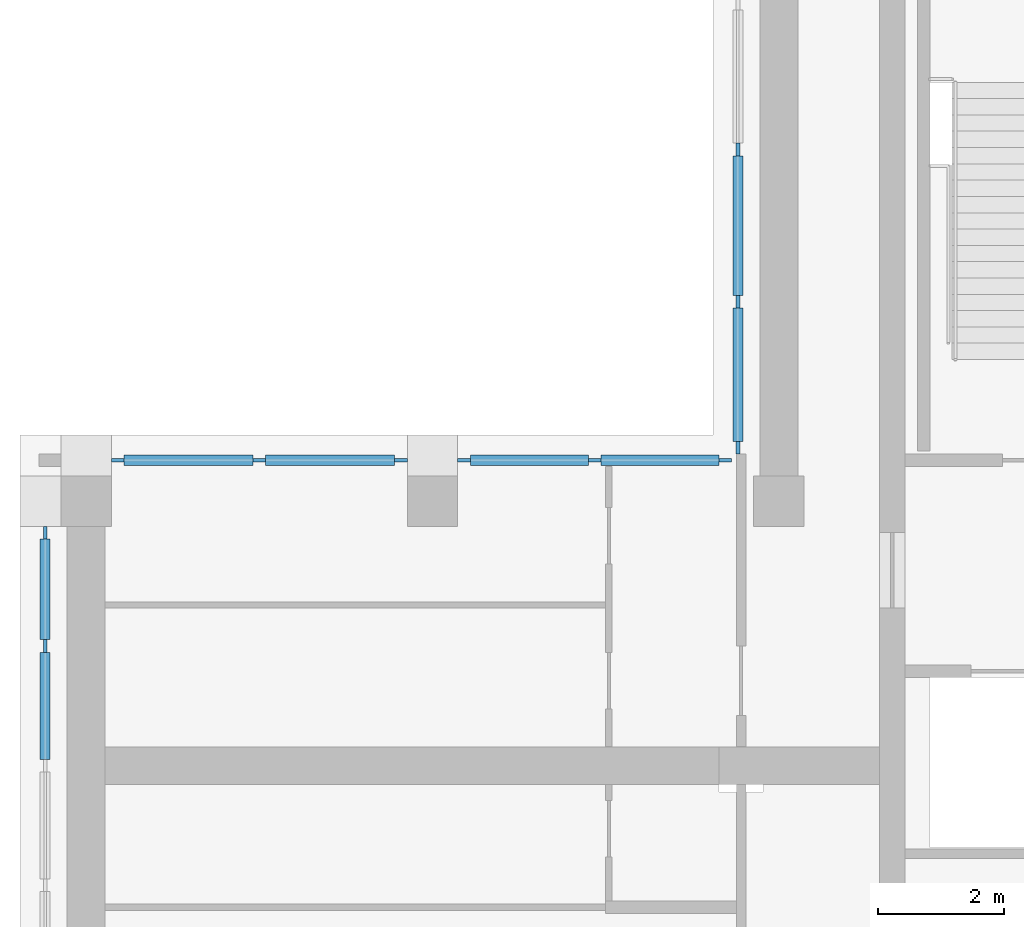
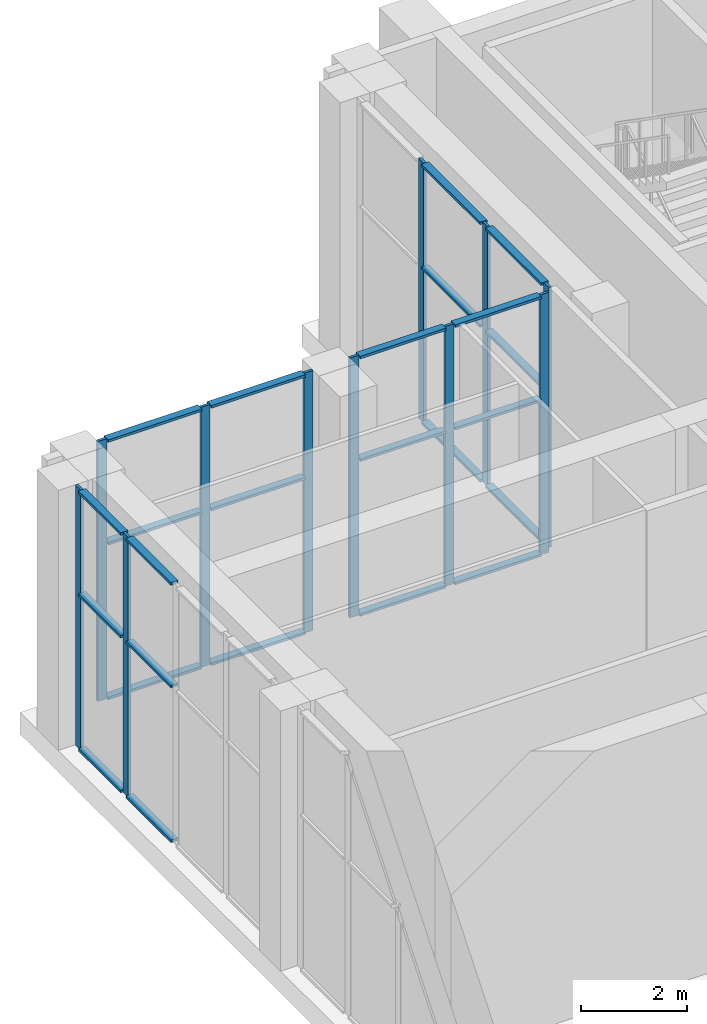
# One storey, part 4 of 14: 35 members, 4 elements without a shape of their own.
"""IFC4 building model written with IfcOpenShell, lengths in metres."""

from ifc_helpers import new_model, si_unit, direction, frame, origin, origin_2d, place, context, subcontext, project, spatial, rectangle, extrude, material, material_profile, profile_set, type_object, element, aggregate, save


model = new_model("IFC4")

# Units and contexts
model_context = context("Model", 3, precision=1e-05, world=origin(), true_north=direction((0.0, 1.0)))
body_context = subcontext(model_context, "Body", "Model", "MODEL_VIEW")
ifc_project = project(units=[si_unit("LENGTHUNIT", "METRE"), si_unit("AREAUNIT", "SQUARE_METRE"), si_unit("VOLUMEUNIT", "CUBIC_METRE"), si_unit("PLANEANGLEUNIT", "RADIAN"), si_unit("MASSUNIT", "GRAM", prefix="KILO")], contexts=[model_context])

# Site, building, storey
site_placement = place(None, origin())
site = spatial("IfcSite", under=ifc_project, at=site_placement, CompositionType="ELEMENT")
building_placement = place(site_placement, origin())
building = spatial("IfcBuilding", under=site, at=building_placement, Name="Vermilion Ogive Tower", CompositionType="ELEMENT")
storey_placement = place(building_placement, frame((0.0, 0.0, 278.35009765625)))
storey = spatial("IfcBuildingStorey", under=building, at=storey_placement, Name="L73", CompositionType="ELEMENT", Elevation=278.35009765625)

# Curtain wall, members
ifc_material_1 = material(Name="Laminated solar-control glazing in aluminium frame", Category="aluminium")
curtain_wall_type = type_object("IfcCurtainWallType", Name="Curtain wall CW4", PredefinedType="NOTDEFINED", material=ifc_material_1)
curtain_wall_1_placement = place(storey_placement, origin())
curtain_wall_1 = element("IfcCurtainWall", 1, at=curtain_wall_1_placement, inside=storey, type_object=curtain_wall_type, Name="CW4 glazing X51", PredefinedType="NOTDEFINED")
ifc_material_2 = material(Name="Aluminium mullion", Category="aluminium")
ifc_material_profile_1 = material_profile(ifc_material_2, rectangle(XDim=0.06005859375, YDim=0.199951171875, at=origin_2d()), Name="AL 60x200")
ifc_profile_set_1 = profile_set([ifc_material_profile_1], Name="Aluminium mullion")
member_type_1 = type_object("IfcMemberType", Name="CW4 mullion 60x200", PredefinedType="MULLION", material=ifc_profile_set_1)
member_1_placement = place(storey_placement, frame((-10.64990234375, 18.183349609375, 0.0), z_axis=(0.0, 0.0, 1.0), x_axis=(1.0, 0.0, 0.0)))
member_1 = element("IfcMember", 2, at=member_1_placement, type_object=member_type_1, Name="CW4-X51 mullion 2", PredefinedType="MULLION", context=body_context, shape_type="SweptSolid", body=[
    extrude(rectangle(XDim=0.06005859375, YDim=0.199951171875, at=origin_2d()), origin(), (0.0, 0.0, 1.0), 6.0),
])
member_2_placement = place(storey_placement, frame((-10.64990234375, 15.7666015625, 0.0), z_axis=(0.0, 0.0, 1.0), x_axis=(1.0, 0.0, 0.0)))
member_2 = element("IfcMember", 3, at=member_2_placement, type_object=member_type_1, Name="CW4-X51 mullion 3", PredefinedType="MULLION", context=body_context, shape_type="SweptSolid", body=[
    extrude(rectangle(XDim=0.06005859375, YDim=0.199951171875, at=origin_2d()), origin(), (0.0, 0.0, 1.0), 6.0),
])
member_3_placement = place(storey_placement, frame((-10.64990234375, 13.449951171875, 0.0), z_axis=(0.0, 0.0, 1.0), x_axis=(1.0, 0.0, 0.0)))
member_3 = element("IfcMember", 4, at=member_3_placement, type_object=member_type_1, Name="CW4-X51 mullion 4", PredefinedType="MULLION", context=body_context, shape_type="SweptSolid", body=[
    extrude(rectangle(XDim=0.06005859375, YDim=0.199951171875, at=origin_2d()), origin(), (0.0, 0.0, 1.0), 6.0),
])

curtain_wall_2_placement = place(storey_placement, origin())
curtain_wall_2 = element("IfcCurtainWall", 5, at=curtain_wall_2_placement, inside=storey, type_object=curtain_wall_type, Name="CW4 glazing X61", PredefinedType="NOTDEFINED")
member_4_placement = place(storey_placement, frame((-10.85009765625, 13.25, 0.0), z_axis=(0.0, 0.0, 1.0), x_axis=(0.0, -1.0, 0.0)))
member_4 = element("IfcMember", 6, at=member_4_placement, type_object=member_type_1, Name="CW4-X61 mullion 1", PredefinedType="MULLION", context=body_context, shape_type="SweptSolid", body=[
    extrude(rectangle(XDim=0.06005859375, YDim=0.199951171875, at=origin_2d()), origin(), (0.0, 0.0, 1.0), 6.0),
])
member_5_placement = place(storey_placement, frame((-12.925048828125, 13.25, 0.0), z_axis=(0.0, 0.0, 1.0), x_axis=(0.0, -1.0, 0.0)))
member_5 = element("IfcMember", 7, at=member_5_placement, type_object=member_type_1, Name="CW4-X61 mullion 2", PredefinedType="MULLION", context=body_context, shape_type="SweptSolid", body=[
    extrude(rectangle(XDim=0.06005859375, YDim=0.199951171875, at=origin_2d()), origin(), (0.0, 0.0, 1.0), 6.0),
])
member_6_placement = place(storey_placement, frame((-15.0, 13.25, 0.0), z_axis=(0.0, 0.0, 1.0), x_axis=(0.0, -1.0, 0.0)))
member_6 = element("IfcMember", 8, at=member_6_placement, type_object=member_type_1, Name="CW4-X61 mullion 3", PredefinedType="MULLION", context=body_context, shape_type="SweptSolid", body=[
    extrude(rectangle(XDim=0.06005859375, YDim=0.199951171875, at=origin_2d()), origin(), (0.0, 0.0, 1.0), 6.0),
])

curtain_wall_3_placement = place(storey_placement, origin())
curtain_wall_3 = element("IfcCurtainWall", 9, at=curtain_wall_3_placement, inside=storey, type_object=curtain_wall_type, Name="CW4 glazing X62", PredefinedType="NOTDEFINED")
member_7_placement = place(storey_placement, frame((-16.0, 13.25, 0.0), z_axis=(0.0, 0.0, 1.0), x_axis=(0.0, -1.0, 0.0)))
member_7 = element("IfcMember", 10, at=member_7_placement, type_object=member_type_1, Name="CW4-X62 mullion 1", PredefinedType="MULLION", context=body_context, shape_type="SweptSolid", body=[
    extrude(rectangle(XDim=0.06005859375, YDim=0.199951171875, at=origin_2d()), origin(), (0.0, 0.0, 1.0), 6.0),
])
member_8_placement = place(storey_placement, frame((-18.25, 13.25, 0.0), z_axis=(0.0, 0.0, 1.0), x_axis=(0.0, -1.0, 0.0)))
member_8 = element("IfcMember", 11, at=member_8_placement, type_object=member_type_1, Name="CW4-X62 mullion 2", PredefinedType="MULLION", context=body_context, shape_type="SweptSolid", body=[
    extrude(rectangle(XDim=0.06005859375, YDim=0.199951171875, at=origin_2d()), origin(), (0.0, 0.0, 1.0), 6.0),
])
member_9_placement = place(storey_placement, frame((-20.5, 13.25, 0.0), z_axis=(0.0, 0.0, 1.0), x_axis=(0.0, -1.0, 0.0)))
member_9 = element("IfcMember", 12, at=member_9_placement, type_object=member_type_1, Name="CW4-X62 mullion 3", PredefinedType="MULLION", context=body_context, shape_type="SweptSolid", body=[
    extrude(rectangle(XDim=0.06005859375, YDim=0.199951171875, at=origin_2d()), origin(), (0.0, 0.0, 1.0), 6.0),
])

curtain_wall_4_placement = place(storey_placement, origin())
curtain_wall_4 = element("IfcCurtainWall", 13, at=curtain_wall_4_placement, inside=storey, type_object=curtain_wall_type, Name="CW4 glazing W1", PredefinedType="NOTDEFINED")
member_10_placement = place(storey_placement, frame((-21.64990234375, 12.10009765625, 0.0), z_axis=(0.0, 0.0, 1.0), x_axis=(1.0, 0.0, 0.0)))
member_10 = element("IfcMember", 14, at=member_10_placement, type_object=member_type_1, Name="CW4-W1 mullion 1", PredefinedType="MULLION", context=body_context, shape_type="SweptSolid", body=[
    extrude(rectangle(XDim=0.06005859375, YDim=0.199951171875, at=origin_2d()), origin(), (0.0, 0.0, 1.0), 6.0),
])
member_11_placement = place(storey_placement, frame((-21.64990234375, 10.300048828125, 0.0), z_axis=(0.0, 0.0, 1.0), x_axis=(1.0, 0.0, 0.0)))
member_11 = element("IfcMember", 15, at=member_11_placement, type_object=member_type_1, Name="CW4-W1 mullion 2", PredefinedType="MULLION", context=body_context, shape_type="SweptSolid", body=[
    extrude(rectangle(XDim=0.06005859375, YDim=0.199951171875, at=origin_2d()), origin(), (0.0, 0.0, 1.0), 6.0),
])

# Member
ifc_material_3 = material(Name="Aluminium transom", Category="aluminium")
ifc_material_profile_2 = material_profile(ifc_material_3, rectangle(XDim=0.159912109375, YDim=0.06005859375, at=origin_2d()), Name="AL 60x160")
ifc_profile_set_2 = profile_set([ifc_material_profile_2], Name="Aluminium transom")
member_type_2 = type_object("IfcMemberType", Name="CW4 transom 60x160", PredefinedType="USERDEFINED", material=ifc_profile_set_2)
member_12_placement = place(storey_placement, frame((-10.64990234375, 18.083251953125, 0.02978515625), z_axis=(0.0, -1.0, 0.0), x_axis=(1.0, 0.0, 0.0)))
member_12 = element("IfcMember", 16, at=member_12_placement, type_object=member_type_2, Name="CW4-X51 transom 2.1", ObjectType="TRANSOM", PredefinedType="USERDEFINED", context=body_context, shape_type="SweptSolid", body=[
    extrude(rectangle(XDim=0.159912109375, YDim=0.06005859375, at=origin_2d()), origin(), (0.0, 0.0, 1.0), 2.216552734375),
])

member_13_placement = place(storey_placement, frame((-10.64990234375, 18.083251953125, 3.599853515625), z_axis=(0.0, -1.0, 0.0), x_axis=(1.0, 0.0, 0.0)))
member_13 = element("IfcMember", 17, at=member_13_placement, type_object=member_type_2, Name="CW4-X51 transom 2.2", ObjectType="TRANSOM", PredefinedType="USERDEFINED", context=body_context, shape_type="SweptSolid", body=[
    extrude(rectangle(XDim=0.159912109375, YDim=0.06005859375, at=origin_2d()), origin(), (0.0, 0.0, 1.0), 2.216552734375),
])

member_14_placement = place(storey_placement, frame((-10.64990234375, 18.083251953125, 5.969970703125), z_axis=(0.0, -1.0, 0.0), x_axis=(1.0, 0.0, 0.0)))
member_14 = element("IfcMember", 18, at=member_14_placement, type_object=member_type_2, Name="CW4-X51 transom 2.3", ObjectType="TRANSOM", PredefinedType="USERDEFINED", context=body_context, shape_type="SweptSolid", body=[
    extrude(rectangle(XDim=0.159912109375, YDim=0.06005859375, at=origin_2d()), origin(), (0.0, 0.0, 1.0), 2.216552734375),
])

member_15_placement = place(storey_placement, frame((-10.64990234375, 15.666748046875, 0.02978515625), z_axis=(0.0, -1.0, 0.0), x_axis=(1.0, 0.0, 0.0)))
member_15 = element("IfcMember", 19, at=member_15_placement, type_object=member_type_2, Name="CW4-X51 transom 3.1", ObjectType="TRANSOM", PredefinedType="USERDEFINED", context=body_context, shape_type="SweptSolid", body=[
    extrude(rectangle(XDim=0.159912109375, YDim=0.06005859375, at=origin_2d()), origin(), (0.0, 0.0, 1.0), 2.11669921875),
])

member_16_placement = place(storey_placement, frame((-10.64990234375, 15.666748046875, 3.599853515625), z_axis=(0.0, -1.0, 0.0), x_axis=(1.0, 0.0, 0.0)))
member_16 = element("IfcMember", 20, at=member_16_placement, type_object=member_type_2, Name="CW4-X51 transom 3.2", ObjectType="TRANSOM", PredefinedType="USERDEFINED", context=body_context, shape_type="SweptSolid", body=[
    extrude(rectangle(XDim=0.159912109375, YDim=0.06005859375, at=origin_2d()), origin(), (0.0, 0.0, 1.0), 2.11669921875),
])

member_17_placement = place(storey_placement, frame((-10.64990234375, 15.666748046875, 5.969970703125), z_axis=(0.0, -1.0, 0.0), x_axis=(1.0, 0.0, 0.0)))
member_17 = element("IfcMember", 21, at=member_17_placement, type_object=member_type_2, Name="CW4-X51 transom 3.3", ObjectType="TRANSOM", PredefinedType="USERDEFINED", context=body_context, shape_type="SweptSolid", body=[
    extrude(rectangle(XDim=0.159912109375, YDim=0.06005859375, at=origin_2d()), origin(), (0.0, 0.0, 1.0), 2.11669921875),
])

aggregate(curtain_wall_1, [member_1, member_2, member_3, member_12, member_13, member_14, member_15, member_16, member_17])

member_18_placement = place(storey_placement, frame((-10.949951171875, 13.25, 0.02978515625), z_axis=(-1.0, 0.0, 0.0), x_axis=(0.0, -1.0, 0.0)))
member_18 = element("IfcMember", 22, at=member_18_placement, type_object=member_type_2, Name="CW4-X61 transom 1.1", ObjectType="TRANSOM", PredefinedType="USERDEFINED", context=body_context, shape_type="SweptSolid", body=[
    extrude(rectangle(XDim=0.159912109375, YDim=0.06005859375, at=origin_2d()), origin(), (0.0, 0.0, 1.0), 1.875),
])

member_19_placement = place(storey_placement, frame((-10.949951171875, 13.25, 3.599853515625), z_axis=(-1.0, 0.0, 0.0), x_axis=(0.0, -1.0, 0.0)))
member_19 = element("IfcMember", 23, at=member_19_placement, type_object=member_type_2, Name="CW4-X61 transom 1.2", ObjectType="TRANSOM", PredefinedType="USERDEFINED", context=body_context, shape_type="SweptSolid", body=[
    extrude(rectangle(XDim=0.159912109375, YDim=0.06005859375, at=origin_2d()), origin(), (0.0, 0.0, 1.0), 1.875),
])

member_20_placement = place(storey_placement, frame((-10.949951171875, 13.25, 5.969970703125), z_axis=(-1.0, 0.0, 0.0), x_axis=(0.0, -1.0, 0.0)))
member_20 = element("IfcMember", 24, at=member_20_placement, type_object=member_type_2, Name="CW4-X61 transom 1.3", ObjectType="TRANSOM", PredefinedType="USERDEFINED", context=body_context, shape_type="SweptSolid", body=[
    extrude(rectangle(XDim=0.159912109375, YDim=0.06005859375, at=origin_2d()), origin(), (0.0, 0.0, 1.0), 1.875),
])

member_21_placement = place(storey_placement, frame((-13.02490234375, 13.25, 0.02978515625), z_axis=(-1.0, 0.0, 0.0), x_axis=(0.0, -1.0, 0.0)))
member_21 = element("IfcMember", 25, at=member_21_placement, type_object=member_type_2, Name="CW4-X61 transom 2.1", ObjectType="TRANSOM", PredefinedType="USERDEFINED", context=body_context, shape_type="SweptSolid", body=[
    extrude(rectangle(XDim=0.159912109375, YDim=0.06005859375, at=origin_2d()), origin(), (0.0, 0.0, 1.0), 1.875),
])

member_22_placement = place(storey_placement, frame((-13.02490234375, 13.25, 3.599853515625), z_axis=(-1.0, 0.0, 0.0), x_axis=(0.0, -1.0, 0.0)))
member_22 = element("IfcMember", 26, at=member_22_placement, type_object=member_type_2, Name="CW4-X61 transom 2.2", ObjectType="TRANSOM", PredefinedType="USERDEFINED", context=body_context, shape_type="SweptSolid", body=[
    extrude(rectangle(XDim=0.159912109375, YDim=0.06005859375, at=origin_2d()), origin(), (0.0, 0.0, 1.0), 1.875),
])

member_23_placement = place(storey_placement, frame((-13.02490234375, 13.25, 5.969970703125), z_axis=(-1.0, 0.0, 0.0), x_axis=(0.0, -1.0, 0.0)))
member_23 = element("IfcMember", 27, at=member_23_placement, type_object=member_type_2, Name="CW4-X61 transom 2.3", ObjectType="TRANSOM", PredefinedType="USERDEFINED", context=body_context, shape_type="SweptSolid", body=[
    extrude(rectangle(XDim=0.159912109375, YDim=0.06005859375, at=origin_2d()), origin(), (0.0, 0.0, 1.0), 1.875),
])

aggregate(curtain_wall_2, [member_4, member_5, member_6, member_18, member_19, member_20, member_21, member_22, member_23])

member_24_placement = place(storey_placement, frame((-16.10009765625, 13.25, 0.02978515625), z_axis=(-1.0, 0.0, 0.0), x_axis=(0.0, -1.0, 0.0)))
member_24 = element("IfcMember", 28, at=member_24_placement, type_object=member_type_2, Name="CW4-X62 transom 1.1", ObjectType="TRANSOM", PredefinedType="USERDEFINED", context=body_context, shape_type="SweptSolid", body=[
    extrude(rectangle(XDim=0.159912109375, YDim=0.06005859375, at=origin_2d()), origin(), (0.0, 0.0, 1.0), 2.0498046875),
])

member_25_placement = place(storey_placement, frame((-16.10009765625, 13.25, 3.599853515625), z_axis=(-1.0, 0.0, 0.0), x_axis=(0.0, -1.0, 0.0)))
member_25 = element("IfcMember", 29, at=member_25_placement, type_object=member_type_2, Name="CW4-X62 transom 1.2", ObjectType="TRANSOM", PredefinedType="USERDEFINED", context=body_context, shape_type="SweptSolid", body=[
    extrude(rectangle(XDim=0.159912109375, YDim=0.06005859375, at=origin_2d()), origin(), (0.0, 0.0, 1.0), 2.0498046875),
])

member_26_placement = place(storey_placement, frame((-16.10009765625, 13.25, 5.969970703125), z_axis=(-1.0, 0.0, 0.0), x_axis=(0.0, -1.0, 0.0)))
member_26 = element("IfcMember", 30, at=member_26_placement, type_object=member_type_2, Name="CW4-X62 transom 1.3", ObjectType="TRANSOM", PredefinedType="USERDEFINED", context=body_context, shape_type="SweptSolid", body=[
    extrude(rectangle(XDim=0.159912109375, YDim=0.06005859375, at=origin_2d()), origin(), (0.0, 0.0, 1.0), 2.0498046875),
])

member_27_placement = place(storey_placement, frame((-18.35009765625, 13.25, 0.02978515625), z_axis=(-1.0, 0.0, 0.0), x_axis=(0.0, -1.0, 0.0)))
member_27 = element("IfcMember", 31, at=member_27_placement, type_object=member_type_2, Name="CW4-X62 transom 2.1", ObjectType="TRANSOM", PredefinedType="USERDEFINED", context=body_context, shape_type="SweptSolid", body=[
    extrude(rectangle(XDim=0.159912109375, YDim=0.06005859375, at=origin_2d()), origin(), (0.0, 0.0, 1.0), 2.0498046875),
])

member_28_placement = place(storey_placement, frame((-18.35009765625, 13.25, 3.599853515625), z_axis=(-1.0, 0.0, 0.0), x_axis=(0.0, -1.0, 0.0)))
member_28 = element("IfcMember", 32, at=member_28_placement, type_object=member_type_2, Name="CW4-X62 transom 2.2", ObjectType="TRANSOM", PredefinedType="USERDEFINED", context=body_context, shape_type="SweptSolid", body=[
    extrude(rectangle(XDim=0.159912109375, YDim=0.06005859375, at=origin_2d()), origin(), (0.0, 0.0, 1.0), 2.0498046875),
])

member_29_placement = place(storey_placement, frame((-18.35009765625, 13.25, 5.969970703125), z_axis=(-1.0, 0.0, 0.0), x_axis=(0.0, -1.0, 0.0)))
member_29 = element("IfcMember", 33, at=member_29_placement, type_object=member_type_2, Name="CW4-X62 transom 2.3", ObjectType="TRANSOM", PredefinedType="USERDEFINED", context=body_context, shape_type="SweptSolid", body=[
    extrude(rectangle(XDim=0.159912109375, YDim=0.06005859375, at=origin_2d()), origin(), (0.0, 0.0, 1.0), 2.0498046875),
])

aggregate(curtain_wall_3, [member_7, member_8, member_9, member_24, member_25, member_26, member_27, member_28, member_29])

member_30_placement = place(storey_placement, frame((-21.64990234375, 12.0, 0.02978515625), z_axis=(0.0, -1.0, 0.0), x_axis=(1.0, 0.0, 0.0)))
member_30 = element("IfcMember", 34, at=member_30_placement, type_object=member_type_2, Name="CW4-W1 transom 1.1", ObjectType="TRANSOM", PredefinedType="USERDEFINED", context=body_context, shape_type="SweptSolid", body=[
    extrude(rectangle(XDim=0.159912109375, YDim=0.06005859375, at=origin_2d()), origin(), (0.0, 0.0, 1.0), 1.60009765625),
])

member_31_placement = place(storey_placement, frame((-21.64990234375, 12.0, 3.599853515625), z_axis=(0.0, -1.0, 0.0), x_axis=(1.0, 0.0, 0.0)))
member_31 = element("IfcMember", 35, at=member_31_placement, type_object=member_type_2, Name="CW4-W1 transom 1.2", ObjectType="TRANSOM", PredefinedType="USERDEFINED", context=body_context, shape_type="SweptSolid", body=[
    extrude(rectangle(XDim=0.159912109375, YDim=0.06005859375, at=origin_2d()), origin(), (0.0, 0.0, 1.0), 1.60009765625),
])

member_32_placement = place(storey_placement, frame((-21.64990234375, 12.0, 5.969970703125), z_axis=(0.0, -1.0, 0.0), x_axis=(1.0, 0.0, 0.0)))
member_32 = element("IfcMember", 36, at=member_32_placement, type_object=member_type_2, Name="CW4-W1 transom 1.3", ObjectType="TRANSOM", PredefinedType="USERDEFINED", context=body_context, shape_type="SweptSolid", body=[
    extrude(rectangle(XDim=0.159912109375, YDim=0.06005859375, at=origin_2d()), origin(), (0.0, 0.0, 1.0), 1.60009765625),
])

member_33_placement = place(storey_placement, frame((-21.64990234375, 10.199951171875, 0.02978515625), z_axis=(0.0, -1.0, 0.0), x_axis=(1.0, 0.0, 0.0)))
member_33 = element("IfcMember", 37, at=member_33_placement, type_object=member_type_2, Name="CW4-W1 transom 2.1", ObjectType="TRANSOM", PredefinedType="USERDEFINED", context=body_context, shape_type="SweptSolid", body=[
    extrude(rectangle(XDim=0.159912109375, YDim=0.06005859375, at=origin_2d()), origin(), (0.0, 0.0, 1.0), 1.699951171875),
])

member_34_placement = place(storey_placement, frame((-21.64990234375, 10.199951171875, 3.599853515625), z_axis=(0.0, -1.0, 0.0), x_axis=(1.0, 0.0, 0.0)))
member_34 = element("IfcMember", 38, at=member_34_placement, type_object=member_type_2, Name="CW4-W1 transom 2.2", ObjectType="TRANSOM", PredefinedType="USERDEFINED", context=body_context, shape_type="SweptSolid", body=[
    extrude(rectangle(XDim=0.159912109375, YDim=0.06005859375, at=origin_2d()), origin(), (0.0, 0.0, 1.0), 1.699951171875),
])

member_35_placement = place(storey_placement, frame((-21.64990234375, 10.199951171875, 5.969970703125), z_axis=(0.0, -1.0, 0.0), x_axis=(1.0, 0.0, 0.0)))
member_35 = element("IfcMember", 39, at=member_35_placement, type_object=member_type_2, Name="CW4-W1 transom 2.3", ObjectType="TRANSOM", PredefinedType="USERDEFINED", context=body_context, shape_type="SweptSolid", body=[
    extrude(rectangle(XDim=0.159912109375, YDim=0.06005859375, at=origin_2d()), origin(), (0.0, 0.0, 1.0), 1.699951171875),
])

aggregate(curtain_wall_4, [member_10, member_11, member_30, member_31, member_32, member_33, member_34, member_35])

save(model, "model.ifc")
